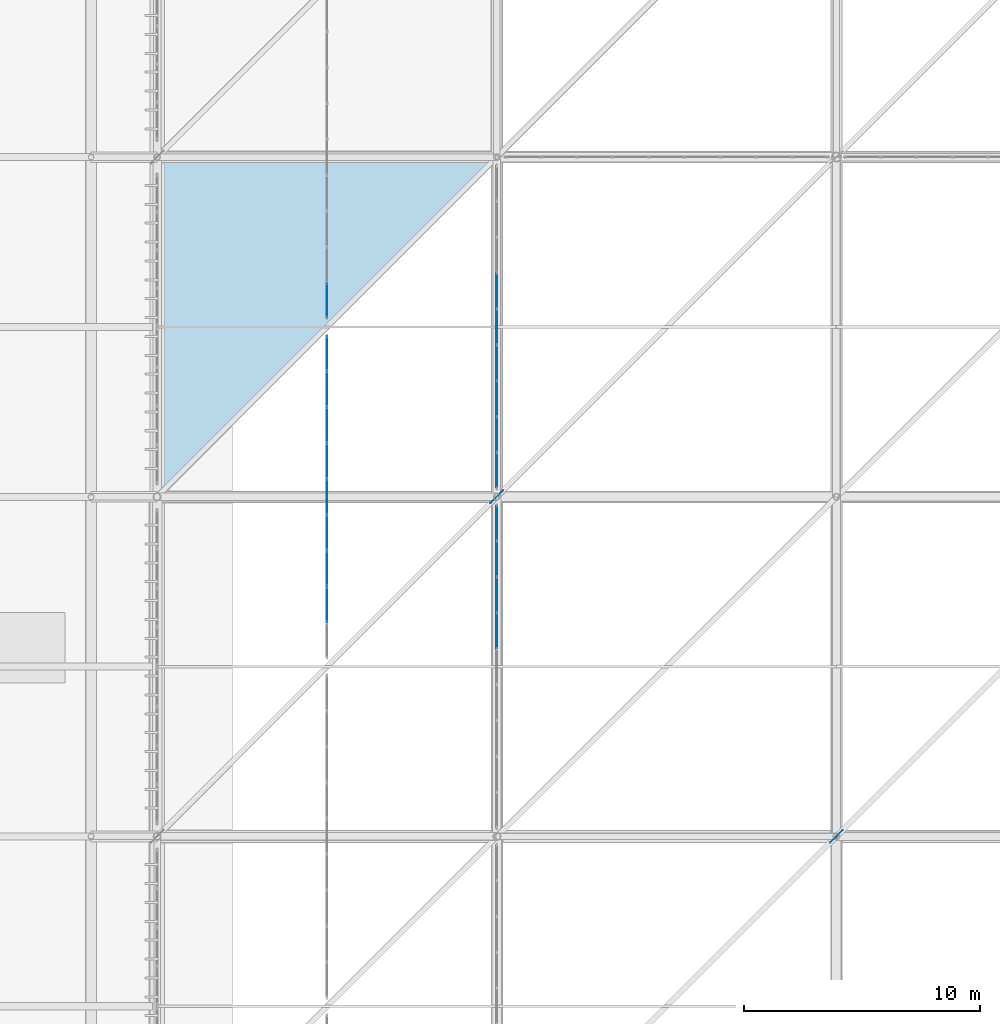
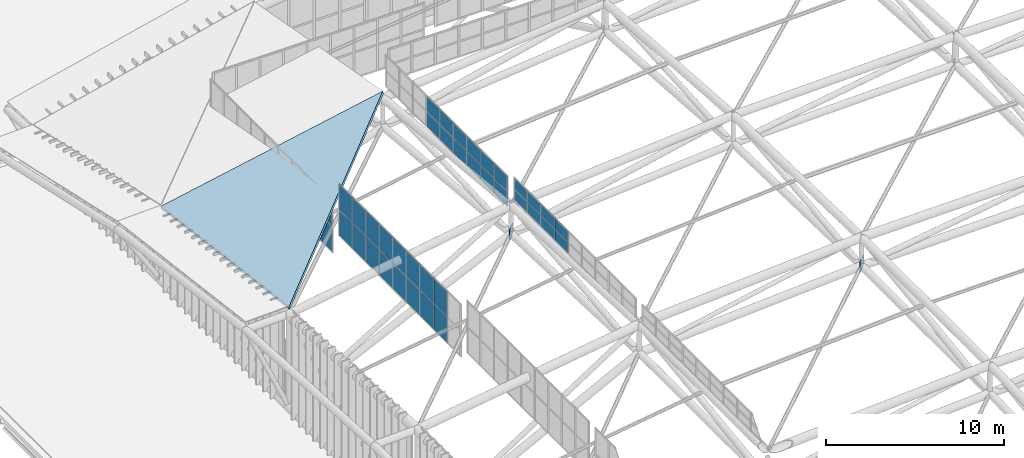
# One storey, part 373 of 397: 40 plates, 1 slab, 4 elements without a shape of their own.
"""IFC4 building model written with IfcOpenShell, lengths in metres."""

from ifc_helpers import new_model, si_unit, direction, frame, origin, origin_2d, place, context, subcontext, project, spatial, polyline, rectangle, outline, extrude, material, layer, layer_set, type_object, element, aggregate, save


model = new_model("IFC4")

# Units and contexts
model_context = context("Model", 3, precision=1e-05, world=origin(), true_north=direction((0.0, 1.0)))
body_context = subcontext(model_context, "Body", "Model", "MODEL_VIEW")
ifc_project = project(units=[si_unit("LENGTHUNIT", "METRE"), si_unit("AREAUNIT", "SQUARE_METRE"), si_unit("VOLUMEUNIT", "CUBIC_METRE"), si_unit("PLANEANGLEUNIT", "RADIAN"), si_unit("MASSUNIT", "GRAM", prefix="KILO")], contexts=[model_context])

# Site, building, storey
site_placement = place(None, origin())
site = spatial("IfcSite", under=ifc_project, at=site_placement, CompositionType="ELEMENT")
building_placement = place(site_placement, origin())
building = spatial("IfcBuilding", under=site, at=building_placement, Name="Qandorah Velis Arena", CompositionType="ELEMENT")
storey_placement = place(building_placement, frame((0.0, 0.0, 27.5)))
storey = spatial("IfcBuildingStorey", under=building, at=storey_placement, Name="RF", CompositionType="ELEMENT", Elevation=27.5)

# Curtain wall, plates
ifc_material_1 = material(Name="Solar-control low-E double glazing", Category="glass")
curtain_wall_type_1 = type_object("IfcCurtainWallType", Name="ARC-CW-SYS11", PredefinedType="USERDEFINED", material=ifc_material_1)
curtain_wall_1_placement = place(storey_placement, origin())
curtain_wall_1 = element("IfcCurtainWall", 1, at=curtain_wall_1_placement, inside=storey, type_object=curtain_wall_type_1, Name="Unitised curtain wall MON-1-5", ObjectType="UNITISED CURTAIN WALL", PredefinedType="USERDEFINED")
ifc_layer_1 = layer(ifc_material_1, 0.030029296875)
ifc_layer_set_1 = layer_set([ifc_layer_1], Name="Solar-control low-E double glazing")
plate_type_1 = type_object("IfcPlateType", Name="ARC-CWP-GLZ30", PredefinedType="CURTAIN_PANEL", material=ifc_layer_set_1)
plate_1_placement = place(storey_placement, frame((21.60009765625, 81.833251953125, 5.1943359375), z_axis=(0.0, 0.0, 1.0), x_axis=(0.0, 1.0, 0.0)))
plate_1 = element("IfcPlate", 2, at=plate_1_placement, type_object=plate_type_1, Name="CW11 panel 2.1", PredefinedType="CURTAIN_PANEL", context=body_context, shape_type="SweptSolid", body=[
    extrude(rectangle(XDim=1.4873046875, YDim=0.030029296875, at=origin_2d()), origin(), (0.0, 0.0, 1.0), 1.737548828125),
])
plate_2_placement = place(storey_placement, frame((21.60009765625, 81.833251953125, 6.966796875), z_axis=(0.0, 0.0, 1.0), x_axis=(0.0, 1.0, 0.0)))
plate_2 = element("IfcPlate", 3, at=plate_2_placement, type_object=plate_type_1, Name="CW11 panel 2.2", PredefinedType="CURTAIN_PANEL", context=body_context, shape_type="SweptSolid", body=[
    extrude(rectangle(XDim=1.4873046875, YDim=0.030029296875, at=origin_2d()), origin(), (0.0, 0.0, 1.0), 1.737548828125),
])
plate_3_placement = place(storey_placement, frame((21.60009765625, 83.35546875, 5.1943359375), z_axis=(0.0, 0.0, 1.0), x_axis=(0.0, 1.0, 0.0)))
plate_3 = element("IfcPlate", 4, at=plate_3_placement, type_object=plate_type_1, Name="CW11 panel 3.1", PredefinedType="CURTAIN_PANEL", context=body_context, shape_type="SweptSolid", body=[
    extrude(rectangle(XDim=1.4873046875, YDim=0.030029296875, at=origin_2d()), origin(), (0.0, 0.0, 1.0), 1.737548828125),
])
plate_4_placement = place(storey_placement, frame((21.60009765625, 83.35546875, 6.966796875), z_axis=(0.0, 0.0, 1.0), x_axis=(0.0, 1.0, 0.0)))
plate_4 = element("IfcPlate", 5, at=plate_4_placement, type_object=plate_type_1, Name="CW11 panel 3.2", PredefinedType="CURTAIN_PANEL", context=body_context, shape_type="SweptSolid", body=[
    extrude(rectangle(XDim=1.4873046875, YDim=0.030029296875, at=origin_2d()), origin(), (0.0, 0.0, 1.0), 1.737548828125),
])
plate_5_placement = place(storey_placement, frame((21.60009765625, 84.877685546875, 5.1943359375), z_axis=(0.0, 0.0, 1.0), x_axis=(0.0, 1.0, 0.0)))
plate_5 = element("IfcPlate", 6, at=plate_5_placement, type_object=plate_type_1, Name="CW11 panel 4.1", PredefinedType="CURTAIN_PANEL", context=body_context, shape_type="SweptSolid", body=[
    extrude(rectangle(XDim=1.4873046875, YDim=0.030029296875, at=origin_2d()), origin(), (0.0, 0.0, 1.0), 1.737548828125),
])
plate_6_placement = place(storey_placement, frame((21.60009765625, 84.877685546875, 6.966796875), z_axis=(0.0, 0.0, 1.0), x_axis=(0.0, 1.0, 0.0)))
plate_6 = element("IfcPlate", 7, at=plate_6_placement, type_object=plate_type_1, Name="CW11 panel 4.2", PredefinedType="CURTAIN_PANEL", context=body_context, shape_type="SweptSolid", body=[
    extrude(rectangle(XDim=1.4873046875, YDim=0.030029296875, at=origin_2d()), origin(), (0.0, 0.0, 1.0), 1.737548828125),
])
plate_7_placement = place(storey_placement, frame((21.60009765625, 86.39990234375, 5.1943359375), z_axis=(0.0, 0.0, 1.0), x_axis=(0.0, 1.0, 0.0)))
plate_7 = element("IfcPlate", 8, at=plate_7_placement, type_object=plate_type_1, Name="CW11 panel 5.1", PredefinedType="CURTAIN_PANEL", context=body_context, shape_type="SweptSolid", body=[
    extrude(rectangle(XDim=1.4873046875, YDim=0.030029296875, at=origin_2d()), origin(), (0.0, 0.0, 1.0), 1.737548828125),
])
plate_8_placement = place(storey_placement, frame((21.60009765625, 86.39990234375, 6.966796875), z_axis=(0.0, 0.0, 1.0), x_axis=(0.0, 1.0, 0.0)))
plate_8 = element("IfcPlate", 9, at=plate_8_placement, type_object=plate_type_1, Name="CW11 panel 5.2", PredefinedType="CURTAIN_PANEL", context=body_context, shape_type="SweptSolid", body=[
    extrude(rectangle(XDim=1.4873046875, YDim=0.030029296875, at=origin_2d()), origin(), (0.0, 0.0, 1.0), 1.737548828125),
])
plate_9_placement = place(storey_placement, frame((21.60009765625, 87.922119140625, 5.1943359375), z_axis=(0.0, 0.0, 1.0), x_axis=(0.0, 1.0, 0.0)))
plate_9 = element("IfcPlate", 10, at=plate_9_placement, type_object=plate_type_1, Name="CW11 panel 6.1", PredefinedType="CURTAIN_PANEL", context=body_context, shape_type="SweptSolid", body=[
    extrude(rectangle(XDim=1.4873046875, YDim=0.030029296875, at=origin_2d()), origin(), (0.0, 0.0, 1.0), 1.737548828125),
])
plate_10_placement = place(storey_placement, frame((21.60009765625, 87.922119140625, 6.966796875), z_axis=(0.0, 0.0, 1.0), x_axis=(0.0, 1.0, 0.0)))
plate_10 = element("IfcPlate", 11, at=plate_10_placement, type_object=plate_type_1, Name="CW11 panel 6.2", PredefinedType="CURTAIN_PANEL", context=body_context, shape_type="SweptSolid", body=[
    extrude(rectangle(XDim=1.4873046875, YDim=0.030029296875, at=origin_2d()), origin(), (0.0, 0.0, 1.0), 1.737548828125),
])
plate_11_placement = place(storey_placement, frame((21.60009765625, 89.4443359375, 5.1943359375), z_axis=(0.0, 0.0, 1.0), x_axis=(0.0, 1.0, 0.0)))
plate_11 = element("IfcPlate", 12, at=plate_11_placement, type_object=plate_type_1, Name="CW11 panel 7.1", PredefinedType="CURTAIN_PANEL", context=body_context, shape_type="SweptSolid", body=[
    extrude(rectangle(XDim=1.4873046875, YDim=0.030029296875, at=origin_2d()), origin(), (0.0, 0.0, 1.0), 1.737548828125),
])
plate_12_placement = place(storey_placement, frame((21.60009765625, 89.4443359375, 6.966796875), z_axis=(0.0, 0.0, 1.0), x_axis=(0.0, 1.0, 0.0)))
plate_12 = element("IfcPlate", 13, at=plate_12_placement, type_object=plate_type_1, Name="CW11 panel 7.2", PredefinedType="CURTAIN_PANEL", context=body_context, shape_type="SweptSolid", body=[
    extrude(rectangle(XDim=1.4873046875, YDim=0.030029296875, at=origin_2d()), origin(), (0.0, 0.0, 1.0), 1.737548828125),
])
plate_13_placement = place(storey_placement, frame((21.60009765625, 90.966552734375, 5.1943359375), z_axis=(0.0, 0.0, 1.0), x_axis=(0.0, 1.0, 0.0)))
plate_13 = element("IfcPlate", 14, at=plate_13_placement, type_object=plate_type_1, Name="CW11 panel 8.1", PredefinedType="CURTAIN_PANEL", context=body_context, shape_type="SweptSolid", body=[
    extrude(rectangle(XDim=1.4873046875, YDim=0.030029296875, at=origin_2d()), origin(), (0.0, 0.0, 1.0), 1.737548828125),
])
plate_14_placement = place(storey_placement, frame((21.60009765625, 90.966552734375, 6.966796875), z_axis=(0.0, 0.0, 1.0), x_axis=(0.0, 1.0, 0.0)))
plate_14 = element("IfcPlate", 15, at=plate_14_placement, type_object=plate_type_1, Name="CW11 panel 8.2", PredefinedType="CURTAIN_PANEL", context=body_context, shape_type="SweptSolid", body=[
    extrude(rectangle(XDim=1.4873046875, YDim=0.030029296875, at=origin_2d()), origin(), (0.0, 0.0, 1.0), 1.737548828125),
])
plate_15_placement = place(storey_placement, frame((21.60009765625, 92.47509765625, 5.1943359375), z_axis=(0.0, 0.0, 1.0), x_axis=(0.0, 1.0, 0.0)))
plate_15 = element("IfcPlate", 16, at=plate_15_placement, type_object=plate_type_1, Name="CW11 panel 9.1", PredefinedType="CURTAIN_PANEL", context=body_context, shape_type="SweptSolid", body=[
    extrude(rectangle(XDim=1.459716796875, YDim=0.030029296875, at=origin_2d()), origin(), (0.0, 0.0, 1.0), 1.737548828125),
])
plate_16_placement = place(storey_placement, frame((21.60009765625, 92.47509765625, 6.966796875), z_axis=(0.0, 0.0, 1.0), x_axis=(0.0, 1.0, 0.0)))
plate_16 = element("IfcPlate", 17, at=plate_16_placement, type_object=plate_type_1, Name="CW11 panel 9.2", PredefinedType="CURTAIN_PANEL", context=body_context, shape_type="SweptSolid", body=[
    extrude(rectangle(XDim=1.459716796875, YDim=0.030029296875, at=origin_2d()), origin(), (0.0, 0.0, 1.0), 1.737548828125),
])
aggregate(curtain_wall_1, [plate_1, plate_2, plate_3, plate_4, plate_5, plate_6, plate_7, plate_8, plate_9, plate_10, plate_11, plate_12, plate_13, plate_14, plate_15, plate_16])

curtain_wall_type_2 = type_object("IfcCurtainWallType", Name="ARC-CW-SYS12", PredefinedType="USERDEFINED", material=ifc_material_1)
curtain_wall_2_placement = place(storey_placement, origin())
curtain_wall_2 = element("IfcCurtainWall", 18, at=curtain_wall_2_placement, inside=storey, type_object=curtain_wall_type_2, Name="Unitised curtain wall MON-1-6", ObjectType="UNITISED CURTAIN WALL", PredefinedType="USERDEFINED")
plate_17_placement = place(storey_placement, frame((21.60009765625, 94.724853515625, 3.58642578125), z_axis=(0.0, 0.0, 1.0), x_axis=(0.0, 1.0, 0.0)))
plate_17 = element("IfcPlate", 19, at=plate_17_placement, type_object=plate_type_1, Name="CW12 panel 1.1", PredefinedType="CURTAIN_PANEL", context=body_context, shape_type="SweptSolid", body=[
    extrude(rectangle(XDim=1.459716796875, YDim=0.030029296875, at=origin_2d()), origin(), (0.0, 0.0, 1.0), 1.737548828125),
])
plate_18_placement = place(storey_placement, frame((21.60009765625, 94.724853515625, 5.35888671875), z_axis=(0.0, 0.0, 1.0), x_axis=(0.0, 1.0, 0.0)))
plate_18 = element("IfcPlate", 20, at=plate_18_placement, type_object=plate_type_1, Name="CW12 panel 1.2", PredefinedType="CURTAIN_PANEL", context=body_context, shape_type="SweptSolid", body=[
    extrude(rectangle(XDim=1.459716796875, YDim=0.030029296875, at=origin_2d()), origin(), (0.0, 0.0, 1.0), 1.737548828125),
])
aggregate(curtain_wall_2, [plate_17, plate_18])

curtain_wall_type_3 = type_object("IfcCurtainWallType", Name="ARC-CW-SYS09", PredefinedType="USERDEFINED", material=ifc_material_1)
curtain_wall_3_placement = place(storey_placement, origin())
curtain_wall_3 = element("IfcCurtainWall", 21, at=curtain_wall_3_placement, inside=storey, type_object=curtain_wall_type_3, Name="Unitised curtain wall OCULUS-1-4", ObjectType="UNITISED CURTAIN WALL", PredefinedType="USERDEFINED")
plate_19_placement = place(storey_placement, frame((28.800048828125, 80.72216796875, 9.47265625), z_axis=(0.0, 0.0, 1.0), x_axis=(0.0, 1.0, 0.0)))
plate_19 = element("IfcPlate", 22, at=plate_19_placement, type_object=plate_type_1, Name="CW09 panel 6.1", PredefinedType="CURTAIN_PANEL", context=body_context, shape_type="SweptSolid", body=[
    extrude(rectangle(XDim=1.4873046875, YDim=0.030029296875, at=origin_2d()), origin(), (0.0, 0.0, 1.0), 0.723876953125),
])
plate_20_placement = place(storey_placement, frame((28.800048828125, 80.72216796875, 10.2314453125), z_axis=(0.0, 0.0, 1.0), x_axis=(0.0, 1.0, 0.0)))
plate_20 = element("IfcPlate", 23, at=plate_20_placement, type_object=plate_type_1, Name="CW09 panel 6.2", PredefinedType="CURTAIN_PANEL", context=body_context, shape_type="SweptSolid", body=[
    extrude(rectangle(XDim=1.4873046875, YDim=0.030029296875, at=origin_2d()), origin(), (0.0, 0.0, 1.0), 0.7236328125),
])
plate_21_placement = place(storey_placement, frame((28.800048828125, 82.244384765625, 9.47265625), z_axis=(0.0, 0.0, 1.0), x_axis=(0.0, 1.0, 0.0)))
plate_21 = element("IfcPlate", 24, at=plate_21_placement, type_object=plate_type_1, Name="CW09 panel 7.1", PredefinedType="CURTAIN_PANEL", context=body_context, shape_type="SweptSolid", body=[
    extrude(rectangle(XDim=1.4873046875, YDim=0.030029296875, at=origin_2d()), origin(), (0.0, 0.0, 1.0), 0.723876953125),
])
plate_22_placement = place(storey_placement, frame((28.800048828125, 82.244384765625, 10.2314453125), z_axis=(0.0, 0.0, 1.0), x_axis=(0.0, 1.0, 0.0)))
plate_22 = element("IfcPlate", 25, at=plate_22_placement, type_object=plate_type_1, Name="CW09 panel 7.2", PredefinedType="CURTAIN_PANEL", context=body_context, shape_type="SweptSolid", body=[
    extrude(rectangle(XDim=1.4873046875, YDim=0.030029296875, at=origin_2d()), origin(), (0.0, 0.0, 1.0), 0.7236328125),
])
plate_23_placement = place(storey_placement, frame((28.800048828125, 83.7666015625, 9.47265625), z_axis=(0.0, 0.0, 1.0), x_axis=(0.0, 1.0, 0.0)))
plate_23 = element("IfcPlate", 26, at=plate_23_placement, type_object=plate_type_1, Name="CW09 panel 8.1", PredefinedType="CURTAIN_PANEL", context=body_context, shape_type="SweptSolid", body=[
    extrude(rectangle(XDim=1.4873046875, YDim=0.030029296875, at=origin_2d()), origin(), (0.0, 0.0, 1.0), 0.723876953125),
])
plate_24_placement = place(storey_placement, frame((28.800048828125, 83.7666015625, 10.2314453125), z_axis=(0.0, 0.0, 1.0), x_axis=(0.0, 1.0, 0.0)))
plate_24 = element("IfcPlate", 27, at=plate_24_placement, type_object=plate_type_1, Name="CW09 panel 8.2", PredefinedType="CURTAIN_PANEL", context=body_context, shape_type="SweptSolid", body=[
    extrude(rectangle(XDim=1.4873046875, YDim=0.030029296875, at=origin_2d()), origin(), (0.0, 0.0, 1.0), 0.7236328125),
])
plate_25_placement = place(storey_placement, frame((28.800048828125, 85.275146484375, 9.47265625), z_axis=(0.0, 0.0, 1.0), x_axis=(0.0, 1.0, 0.0)))
plate_25 = element("IfcPlate", 28, at=plate_25_placement, type_object=plate_type_1, Name="CW09 panel 9.1", PredefinedType="CURTAIN_PANEL", context=body_context, shape_type="SweptSolid", body=[
    extrude(rectangle(XDim=1.459716796875, YDim=0.030029296875, at=origin_2d()), origin(), (0.0, 0.0, 1.0), 0.723876953125),
])
plate_26_placement = place(storey_placement, frame((28.800048828125, 85.275146484375, 10.2314453125), z_axis=(0.0, 0.0, 1.0), x_axis=(0.0, 1.0, 0.0)))
plate_26 = element("IfcPlate", 29, at=plate_26_placement, type_object=plate_type_1, Name="CW09 panel 9.2", PredefinedType="CURTAIN_PANEL", context=body_context, shape_type="SweptSolid", body=[
    extrude(rectangle(XDim=1.459716796875, YDim=0.030029296875, at=origin_2d()), origin(), (0.0, 0.0, 1.0), 0.7236328125),
])
aggregate(curtain_wall_3, [plate_19, plate_20, plate_21, plate_22, plate_23, plate_24, plate_25, plate_26])

curtain_wall_type_4 = type_object("IfcCurtainWallType", Name="ARC-CW-SYS10", PredefinedType="USERDEFINED", material=ifc_material_1)
curtain_wall_4_placement = place(storey_placement, origin())
curtain_wall_4 = element("IfcCurtainWall", 30, at=curtain_wall_4_placement, inside=storey, type_object=curtain_wall_type_4, Name="Unitised curtain wall OCULUS-1-5", ObjectType="UNITISED CURTAIN WALL", PredefinedType="USERDEFINED")
plate_27_placement = place(storey_placement, frame((28.800048828125, 87.52490234375, 8.53125), z_axis=(0.0, 0.0, 1.0), x_axis=(0.0, 1.0, 0.0)))
plate_27 = element("IfcPlate", 31, at=plate_27_placement, type_object=plate_type_1, Name="CW10 panel 1.1", PredefinedType="CURTAIN_PANEL", context=body_context, shape_type="SweptSolid", body=[
    extrude(rectangle(XDim=1.459716796875, YDim=0.030029296875, at=origin_2d()), origin(), (0.0, 0.0, 1.0), 1.012451171875),
])
plate_28_placement = place(storey_placement, frame((28.800048828125, 87.52490234375, 9.57861328125), z_axis=(0.0, 0.0, 1.0), x_axis=(0.0, 1.0, 0.0)))
plate_28 = element("IfcPlate", 32, at=plate_28_placement, type_object=plate_type_1, Name="CW10 panel 1.2", PredefinedType="CURTAIN_PANEL", context=body_context, shape_type="SweptSolid", body=[
    extrude(rectangle(XDim=1.459716796875, YDim=0.030029296875, at=origin_2d()), origin(), (0.0, 0.0, 1.0), 1.012451171875),
])
plate_29_placement = place(storey_placement, frame((28.800048828125, 89.033447265625, 8.53125), z_axis=(0.0, 0.0, 1.0), x_axis=(0.0, 1.0, 0.0)))
plate_29 = element("IfcPlate", 33, at=plate_29_placement, type_object=plate_type_1, Name="CW10 panel 2.1", PredefinedType="CURTAIN_PANEL", context=body_context, shape_type="SweptSolid", body=[
    extrude(rectangle(XDim=1.4873046875, YDim=0.030029296875, at=origin_2d()), origin(), (0.0, 0.0, 1.0), 1.012451171875),
])
plate_30_placement = place(storey_placement, frame((28.800048828125, 89.033447265625, 9.57861328125), z_axis=(0.0, 0.0, 1.0), x_axis=(0.0, 1.0, 0.0)))
plate_30 = element("IfcPlate", 34, at=plate_30_placement, type_object=plate_type_1, Name="CW10 panel 2.2", PredefinedType="CURTAIN_PANEL", context=body_context, shape_type="SweptSolid", body=[
    extrude(rectangle(XDim=1.4873046875, YDim=0.030029296875, at=origin_2d()), origin(), (0.0, 0.0, 1.0), 1.012451171875),
])
plate_31_placement = place(storey_placement, frame((28.800048828125, 90.5556640625, 8.53125), z_axis=(0.0, 0.0, 1.0), x_axis=(0.0, 1.0, 0.0)))
plate_31 = element("IfcPlate", 35, at=plate_31_placement, type_object=plate_type_1, Name="CW10 panel 3.1", PredefinedType="CURTAIN_PANEL", context=body_context, shape_type="SweptSolid", body=[
    extrude(rectangle(XDim=1.4873046875, YDim=0.030029296875, at=origin_2d()), origin(), (0.0, 0.0, 1.0), 1.012451171875),
])
plate_32_placement = place(storey_placement, frame((28.800048828125, 90.5556640625, 9.57861328125), z_axis=(0.0, 0.0, 1.0), x_axis=(0.0, 1.0, 0.0)))
plate_32 = element("IfcPlate", 36, at=plate_32_placement, type_object=plate_type_1, Name="CW10 panel 3.2", PredefinedType="CURTAIN_PANEL", context=body_context, shape_type="SweptSolid", body=[
    extrude(rectangle(XDim=1.4873046875, YDim=0.030029296875, at=origin_2d()), origin(), (0.0, 0.0, 1.0), 1.012451171875),
])
plate_33_placement = place(storey_placement, frame((28.800048828125, 92.077880859375, 8.53125), z_axis=(0.0, 0.0, 1.0), x_axis=(0.0, 1.0, 0.0)))
plate_33 = element("IfcPlate", 37, at=plate_33_placement, type_object=plate_type_1, Name="CW10 panel 4.1", PredefinedType="CURTAIN_PANEL", context=body_context, shape_type="SweptSolid", body=[
    extrude(rectangle(XDim=1.4873046875, YDim=0.030029296875, at=origin_2d()), origin(), (0.0, 0.0, 1.0), 1.012451171875),
])
plate_34_placement = place(storey_placement, frame((28.800048828125, 92.077880859375, 9.57861328125), z_axis=(0.0, 0.0, 1.0), x_axis=(0.0, 1.0, 0.0)))
plate_34 = element("IfcPlate", 38, at=plate_34_placement, type_object=plate_type_1, Name="CW10 panel 4.2", PredefinedType="CURTAIN_PANEL", context=body_context, shape_type="SweptSolid", body=[
    extrude(rectangle(XDim=1.4873046875, YDim=0.030029296875, at=origin_2d()), origin(), (0.0, 0.0, 1.0), 1.012451171875),
])
plate_35_placement = place(storey_placement, frame((28.800048828125, 93.60009765625, 8.53125), z_axis=(0.0, 0.0, 1.0), x_axis=(0.0, 1.0, 0.0)))
plate_35 = element("IfcPlate", 39, at=plate_35_placement, type_object=plate_type_1, Name="CW10 panel 5.1", PredefinedType="CURTAIN_PANEL", context=body_context, shape_type="SweptSolid", body=[
    extrude(rectangle(XDim=1.4873046875, YDim=0.030029296875, at=origin_2d()), origin(), (0.0, 0.0, 1.0), 1.012451171875),
])
plate_36_placement = place(storey_placement, frame((28.800048828125, 93.60009765625, 9.57861328125), z_axis=(0.0, 0.0, 1.0), x_axis=(0.0, 1.0, 0.0)))
plate_36 = element("IfcPlate", 40, at=plate_36_placement, type_object=plate_type_1, Name="CW10 panel 5.2", PredefinedType="CURTAIN_PANEL", context=body_context, shape_type="SweptSolid", body=[
    extrude(rectangle(XDim=1.4873046875, YDim=0.030029296875, at=origin_2d()), origin(), (0.0, 0.0, 1.0), 1.012451171875),
])
plate_37_placement = place(storey_placement, frame((28.800048828125, 95.122314453125, 8.53125), z_axis=(0.0, 0.0, 1.0), x_axis=(0.0, 1.0, 0.0)))
plate_37 = element("IfcPlate", 41, at=plate_37_placement, type_object=plate_type_1, Name="CW10 panel 6.1", PredefinedType="CURTAIN_PANEL", context=body_context, shape_type="SweptSolid", body=[
    extrude(rectangle(XDim=1.4873046875, YDim=0.030029296875, at=origin_2d()), origin(), (0.0, 0.0, 1.0), 1.012451171875),
])
plate_38_placement = place(storey_placement, frame((28.800048828125, 95.122314453125, 9.57861328125), z_axis=(0.0, 0.0, 1.0), x_axis=(0.0, 1.0, 0.0)))
plate_38 = element("IfcPlate", 42, at=plate_38_placement, type_object=plate_type_1, Name="CW10 panel 6.2", PredefinedType="CURTAIN_PANEL", context=body_context, shape_type="SweptSolid", body=[
    extrude(rectangle(XDim=1.4873046875, YDim=0.030029296875, at=origin_2d()), origin(), (0.0, 0.0, 1.0), 1.012451171875),
])
aggregate(curtain_wall_4, [plate_27, plate_28, plate_29, plate_30, plate_31, plate_32, plate_33, plate_34, plate_35, plate_36, plate_37, plate_38])

# Plates
ifc_material_2 = material(Name="Steel S355", Category="steel")
ifc_layer_2 = layer(ifc_material_2, 0.02001953125)
ifc_layer_set_2 = layer_set([ifc_layer_2], Name="Steel S355")
plate_type_2 = type_object("IfcPlateType", Name="STR-PLT-GUS20", PredefinedType="SHEET", material=ifc_layer_set_2)
for number, where, z_axis, x_axis, name in (
    (43, (28.800048828125, 86.39990234375, 6.6826171875), (0.0, 0.0, 1.0), (0.707106781187, 0.707106781187, 0.0), "Space frame gusset plate 1.5"),
    (44, (43.199951171875, 72.0, 8.174072265625), (0.0, 0.0, 1.0), (0.707106781187, 0.707106781187, 0.0), "Space frame gusset plate 2.4"),
):
    element("IfcPlate", number, at=place(storey_placement, frame(where, z_axis=z_axis, x_axis=x_axis)), inside=storey, type_object=plate_type_2, Name=name, PredefinedType="SHEET", context=body_context, shape_type="SweptSolid", body=[
        extrude(rectangle(XDim=0.75, YDim=0.02001953125, at=origin_2d()), origin(), (0.0, 0.0, 1.0), 0.75),
    ])

# Slab
ifc_material_3 = material(Name="Concrete C40/50", Category="concrete")
ifc_layer_3 = layer(ifc_material_3, 0.179931640625)
ifc_layer_set_3 = layer_set([ifc_layer_3], Name="Concrete C40/50")
slab_type = type_object("IfcSlabType", Name="STR-SLB-RF180", PredefinedType="ROOF", material=ifc_layer_set_3)
slab_placement = place(storey_placement, frame((14.39990234375, 86.39990234375, 6.92333984375), z_axis=(-0.193108272525, 0.124366149707, 0.973263713435), x_axis=(0.706226546868, 0.706226546868, 0.049881148708)))
element("IfcSlab", 45, at=slab_placement, inside=storey, type_object=slab_type, Name="Arena space-frame roof deck panel 0.5B", PredefinedType="ROOF", context=body_context, shape_type="SweptSolid", body=[
    extrude(outline(polyline([(0.0, 0.0), (20.390265061866526, 1.1102230246251565e-15), (10.07798002835206, 10.449136843051654), (0.0, 0.0)])), origin(), (0.0, 0.0, -1.0), 0.179931640625),
])

save(model, "model.ifc")
